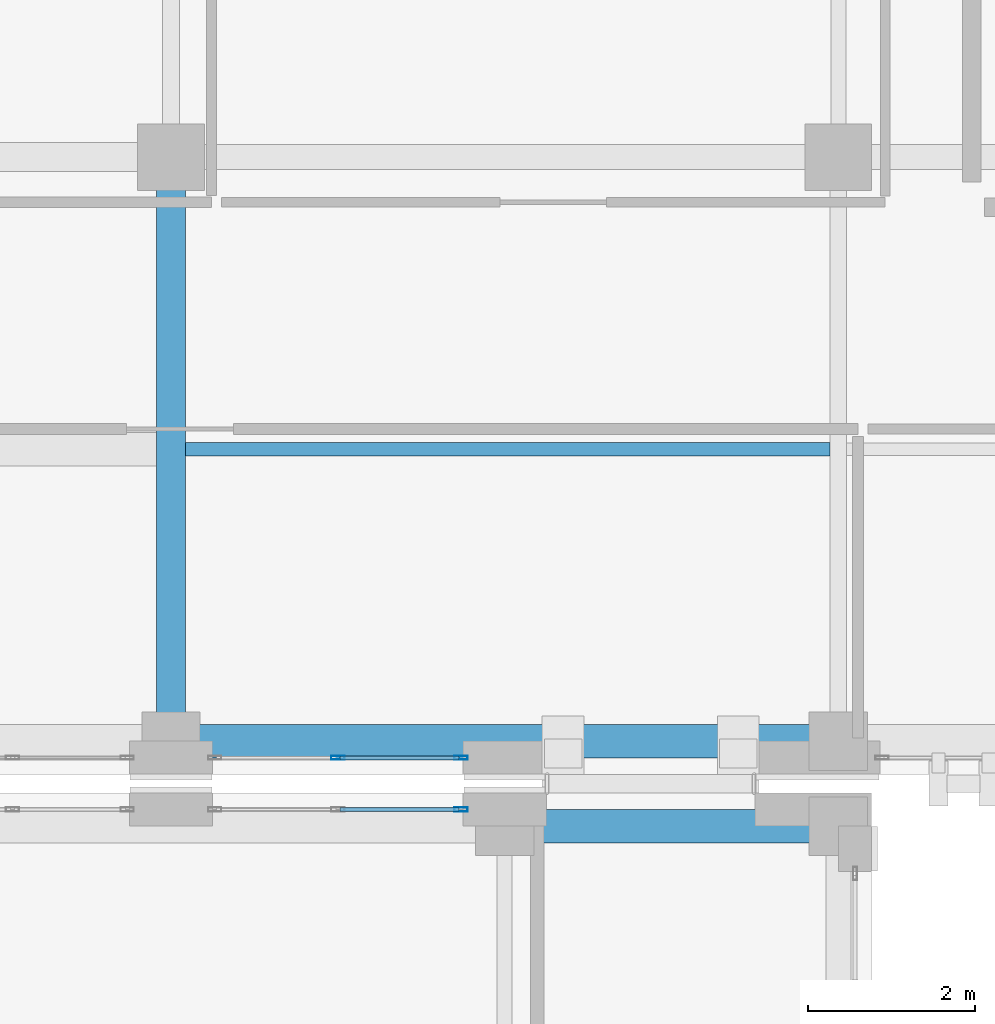
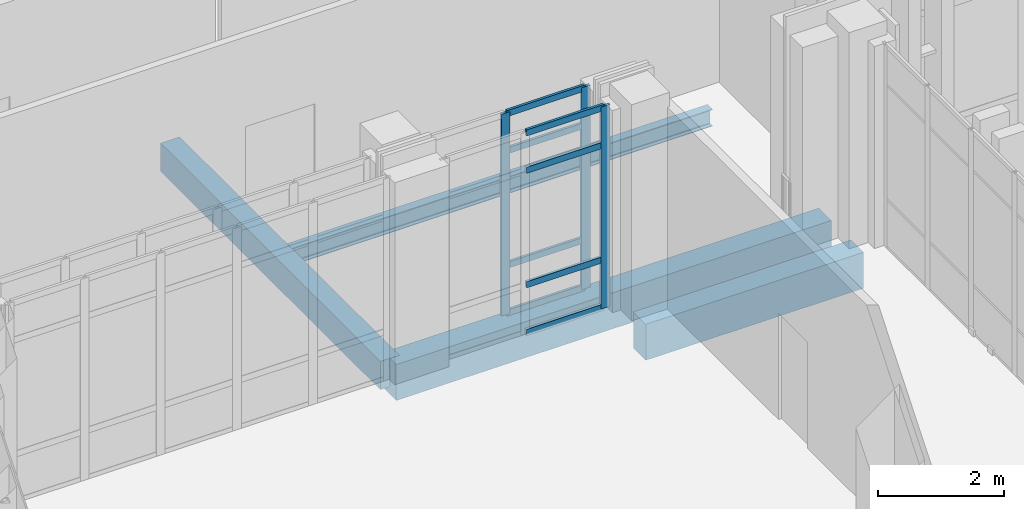
# One storey, part 77 of 158: 11 members, 4 beams, 2 elements without a shape of their own.
"""IFC4 building model written with IfcOpenShell, lengths in metres."""

from ifc_helpers import new_model, si_unit, direction, frame, origin, origin_2d, place, context, subcontext, project, spatial, rectangle, hollow_rectangle, i_section, extrude, material, layer, layer_set, material_profile, profile_set, type_object, element, aggregate, save


model = new_model("IFC4")

# Units and contexts
model_context = context("Model", 3, precision=1e-05, world=origin(), true_north=direction((0.0, 1.0)))
body_context = subcontext(model_context, "Body", "Model", "MODEL_VIEW")
ifc_project = project(units=[si_unit("LENGTHUNIT", "METRE"), si_unit("AREAUNIT", "SQUARE_METRE"), si_unit("VOLUMEUNIT", "CUBIC_METRE"), si_unit("PLANEANGLEUNIT", "RADIAN"), si_unit("MASSUNIT", "GRAM", prefix="KILO")], contexts=[model_context])

# Site, building, storey
site_placement = place(None, origin())
site = spatial("IfcSite", under=ifc_project, at=site_placement, CompositionType="ELEMENT")
building_placement = place(site_placement, origin())
building = spatial("IfcBuilding", under=site, at=building_placement, Name="Qalavern Law Courts", CompositionType="ELEMENT")
storey_placement = place(building_placement, frame((0.0, 0.0, 18.60009765625)))
storey = spatial("IfcBuildingStorey", under=building, at=storey_placement, Name="L04", CompositionType="ELEMENT", Elevation=18.60009765625)

# Curtain wall, member
ifc_material_1 = material(Name="Anodised aluminium and insulated glazing", Category="aluminium")
ifc_layer_1 = layer(ifc_material_1, 0.159912109375)
ifc_layer_set_1 = layer_set([ifc_layer_1], Name="Anodised aluminium and insulated glazing")
curtain_wall_type_1 = type_object("IfcCurtainWallType", Name="ENV-CW-CHAMB", PredefinedType="USERDEFINED", material=ifc_layer_set_1)
curtain_wall_1_placement = place(storey_placement, origin())
curtain_wall_1 = element("IfcCurtainWall", 1, at=curtain_wall_1_placement, inside=storey, type_object=curtain_wall_type_1, Name="V3 unitised curtain wall L04 north 1", ObjectType="UNITISED CURTAIN WALL", PredefinedType="USERDEFINED")
ifc_material_2 = material(Name="Anodised aluminium", Category="aluminium")
ifc_material_profile_1 = material_profile(ifc_material_2, hollow_rectangle(XDim=0.048095703125, YDim=0.159912109375, WallThickness=0.00390625, at=origin_2d()), Name="ALU MULLION 48x160")
ifc_profile_set_1 = profile_set([ifc_material_profile_1], Name="Anodised aluminium")
member_type_1 = type_object("IfcMemberType", Name="ENV-CWM-48x160", PredefinedType="MULLION", material=ifc_profile_set_1)
member_1_placement = place(storey_placement, frame((13.8759765625, 95.780029296875, 0.0), z_axis=(0.0, 0.0, 1.0), x_axis=(0.0, -1.0, 0.0)))
member_1 = element("IfcMember", 2, at=member_1_placement, type_object=member_type_1, Name="CW-04 mullion 1", PredefinedType="MULLION", context=body_context, shape_type="SweptSolid", body=[
    extrude(hollow_rectangle(XDim=0.048095703125, YDim=0.159912109375, WallThickness=0.00390625, at=origin_2d()), origin(), (0.0, 0.0, 1.0), 3.9248046875),
])

# Curtain wall, members
ifc_layer_2 = layer(ifc_material_1, 0.166015625)
ifc_layer_set_2 = layer_set([ifc_layer_2], Name="Anodised aluminium and insulated glazing")
curtain_wall_type_2 = type_object("IfcCurtainWallType", Name="ENV-CW-LIB", PredefinedType="USERDEFINED", material=ifc_layer_set_2)
curtain_wall_2_placement = place(storey_placement, origin())
curtain_wall_2 = element("IfcCurtainWall", 3, at=curtain_wall_2_placement, inside=storey, type_object=curtain_wall_type_2, Name="V5 unitised curtain wall L04 south 2", ObjectType="UNITISED CURTAIN WALL", PredefinedType="USERDEFINED")
member_2_placement = place(storey_placement, frame((12.39990234375, 96.39990234375, 0.0), z_axis=(0.0, 0.0, 1.0), x_axis=(0.0, 1.0, 0.0)))
member_2 = element("IfcMember", 4, at=member_2_placement, type_object=member_type_1, Name="CW-05 mullion 2", PredefinedType="MULLION", context=body_context, shape_type="SweptSolid", body=[
    extrude(hollow_rectangle(XDim=0.048095703125, YDim=0.159912109375, WallThickness=0.00390625, at=origin_2d()), origin(), (0.0, 0.0, 1.0), 3.9248046875),
])
member_3_placement = place(storey_placement, frame((13.8759765625, 96.39990234375, 0.0), z_axis=(0.0, 0.0, 1.0), x_axis=(0.0, 1.0, 0.0)))
member_3 = element("IfcMember", 5, at=member_3_placement, type_object=member_type_1, Name="CW-05 mullion 3", PredefinedType="MULLION", context=body_context, shape_type="SweptSolid", body=[
    extrude(hollow_rectangle(XDim=0.048095703125, YDim=0.159912109375, WallThickness=0.00390625, at=origin_2d()), origin(), (0.0, 0.0, 1.0), 3.9248046875),
])

# Member
ifc_material_profile_2 = material_profile(ifc_material_2, hollow_rectangle(XDim=0.048095703125, YDim=0.1201171875, WallThickness=0.00390625, at=origin_2d()), Name="ALU TRANSOM 48x120")
ifc_profile_set_2 = profile_set([ifc_material_profile_2], Name="Anodised aluminium")
member_type_2 = type_object("IfcMemberType", Name="ENV-CWT-48x120", PredefinedType="USERDEFINED", material=ifc_profile_set_2)
member_4_placement = place(storey_placement, frame((13.85205078125, 95.780029296875, 0.02392578125), z_axis=(-1.0, 0.0, 0.0), x_axis=(0.0, -1.0, 0.0)))
member_4 = element("IfcMember", 6, at=member_4_placement, type_object=member_type_2, Name="CW-04 transom 1.1", ObjectType="TRANSOM", PredefinedType="USERDEFINED", context=body_context, shape_type="SweptSolid", body=[
    extrude(hollow_rectangle(XDim=0.048095703125, YDim=0.1201171875, WallThickness=0.00390625, at=origin_2d()), origin(), (0.0, 0.0, 1.0), 1.427978515625),
])

member_5_placement = place(storey_placement, frame((13.85205078125, 95.780029296875, 0.949951171875), z_axis=(-1.0, 0.0, 0.0), x_axis=(0.0, -1.0, 0.0)))
member_5 = element("IfcMember", 7, at=member_5_placement, type_object=member_type_2, Name="CW-04 transom 1.2", ObjectType="TRANSOM", PredefinedType="USERDEFINED", context=body_context, shape_type="SweptSolid", body=[
    extrude(hollow_rectangle(XDim=0.048095703125, YDim=0.1201171875, WallThickness=0.00390625, at=origin_2d()), origin(), (0.0, 0.0, 1.0), 1.427978515625),
])

member_6_placement = place(storey_placement, frame((13.85205078125, 95.780029296875, 3.1748046875), z_axis=(-1.0, 0.0, 0.0), x_axis=(0.0, -1.0, 0.0)))
member_6 = element("IfcMember", 8, at=member_6_placement, type_object=member_type_2, Name="CW-04 transom 1.3", ObjectType="TRANSOM", PredefinedType="USERDEFINED", context=body_context, shape_type="SweptSolid", body=[
    extrude(hollow_rectangle(XDim=0.048095703125, YDim=0.1201171875, WallThickness=0.00390625, at=origin_2d()), origin(), (0.0, 0.0, 1.0), 1.427978515625),
])

member_7_placement = place(storey_placement, frame((13.85205078125, 95.780029296875, 3.90087890625), z_axis=(-1.0, 0.0, 0.0), x_axis=(0.0, -1.0, 0.0)))
member_7 = element("IfcMember", 9, at=member_7_placement, type_object=member_type_2, Name="CW-04 transom 1.4", ObjectType="TRANSOM", PredefinedType="USERDEFINED", context=body_context, shape_type="SweptSolid", body=[
    extrude(hollow_rectangle(XDim=0.048095703125, YDim=0.1201171875, WallThickness=0.00390625, at=origin_2d()), origin(), (0.0, 0.0, 1.0), 1.427978515625),
])

aggregate(curtain_wall_1, [member_1, member_4, member_5, member_6, member_7])

member_8_placement = place(storey_placement, frame((12.424072265625, 96.39990234375, 0.02392578125), z_axis=(1.0, 0.0, 0.0), x_axis=(0.0, 1.0, 0.0)))
member_8 = element("IfcMember", 10, at=member_8_placement, type_object=member_type_2, Name="CW-05 transom 2.1", ObjectType="TRANSOM", PredefinedType="USERDEFINED", context=body_context, shape_type="SweptSolid", body=[
    extrude(hollow_rectangle(XDim=0.048095703125, YDim=0.1201171875, WallThickness=0.00390625, at=origin_2d()), origin(), (0.0, 0.0, 1.0), 1.427978515625),
])

member_9_placement = place(storey_placement, frame((12.424072265625, 96.39990234375, 0.949951171875), z_axis=(1.0, 0.0, 0.0), x_axis=(0.0, 1.0, 0.0)))
member_9 = element("IfcMember", 11, at=member_9_placement, type_object=member_type_2, Name="CW-05 transom 2.2", ObjectType="TRANSOM", PredefinedType="USERDEFINED", context=body_context, shape_type="SweptSolid", body=[
    extrude(hollow_rectangle(XDim=0.048095703125, YDim=0.1201171875, WallThickness=0.00390625, at=origin_2d()), origin(), (0.0, 0.0, 1.0), 1.427978515625),
])

member_10_placement = place(storey_placement, frame((12.424072265625, 96.39990234375, 3.1748046875), z_axis=(1.0, 0.0, 0.0), x_axis=(0.0, 1.0, 0.0)))
member_10 = element("IfcMember", 12, at=member_10_placement, type_object=member_type_2, Name="CW-05 transom 2.3", ObjectType="TRANSOM", PredefinedType="USERDEFINED", context=body_context, shape_type="SweptSolid", body=[
    extrude(hollow_rectangle(XDim=0.048095703125, YDim=0.1201171875, WallThickness=0.00390625, at=origin_2d()), origin(), (0.0, 0.0, 1.0), 1.427978515625),
])

member_11_placement = place(storey_placement, frame((12.424072265625, 96.39990234375, 3.90087890625), z_axis=(1.0, 0.0, 0.0), x_axis=(0.0, 1.0, 0.0)))
member_11 = element("IfcMember", 13, at=member_11_placement, type_object=member_type_2, Name="CW-05 transom 2.4", ObjectType="TRANSOM", PredefinedType="USERDEFINED", context=body_context, shape_type="SweptSolid", body=[
    extrude(hollow_rectangle(XDim=0.048095703125, YDim=0.1201171875, WallThickness=0.00390625, at=origin_2d()), origin(), (0.0, 0.0, 1.0), 1.427978515625),
])

aggregate(curtain_wall_2, [member_2, member_3, member_8, member_9, member_10, member_11])

# Beams
ifc_material_3 = material(Name="Concrete C35/45", Category="concrete")
ifc_material_profile_3 = material_profile(ifc_material_3, rectangle(XDim=0.35009765625, YDim=0.550048828125, at=origin_2d()), Name="RC 350x550")
ifc_profile_set_3 = profile_set([ifc_material_profile_3], Name="Concrete C35/45")
beam_type_1 = type_object("IfcBeamType", Name="STR-BM-RC350x550", PredefinedType="BEAM", material=ifc_profile_set_3)
beam_1_placement = place(storey_placement, frame((10.39990234375, 96.60009765625, -0.55517578125), z_axis=(0.0, 1.0, 0.0), x_axis=(-1.0, 0.0, 0.0)))
element("IfcBeam", 14, at=beam_1_placement, inside=storey, type_object=beam_type_1, Name="V5 Y-beam 2-1 L04", PredefinedType="BEAM", context=body_context, shape_type="SweptSolid", body=[
    extrude(rectangle(XDim=0.35009765625, YDim=0.550048828125, at=origin_2d()), origin(), (0.0, 0.0, 1.0), 7.0),
])
ifc_material_4 = material(Name="Steel S355", Category="steel")
ifc_material_profile_4 = material_profile(ifc_material_4, i_section(OverallWidth=0.159912109375, OverallDepth=0.330078125, WebThickness=0.007568359375, FlangeThickness=0.011474609375, FilletRadius=0.01806640625, at=origin_2d()), Name="IPE 330")
ifc_profile_set_4 = profile_set([ifc_material_profile_4], Name="Steel S355")
beam_type_2 = type_object("IfcBeamType", Name="STR-JST-IPE330", PredefinedType="JOIST", material=ifc_profile_set_4)
beam_2_placement = place(storey_placement, frame((10.572998046875, 100.10009765625, -0.445068359375), z_axis=(1.0, 0.0, 0.0), x_axis=(0.0, 1.0, 0.0)))
element("IfcBeam", 15, at=beam_2_placement, inside=storey, type_object=beam_type_2, Name="V5 secondary joist 2.1.1 L04", PredefinedType="JOIST", context=body_context, shape_type="SweptSolid", body=[
    extrude(i_section(OverallWidth=0.159912109375, OverallDepth=0.330078125, WebThickness=0.007568359375, FlangeThickness=0.011474609375, FilletRadius=0.01806640625, at=origin_2d()), origin(), (0.0, 0.0, 1.0), 7.72900390625),
])
ifc_material_5 = material(Name="Concrete C40/50", Category="concrete")
ifc_material_profile_5 = material_profile(ifc_material_5, rectangle(XDim=0.39990234375, YDim=0.699951171875, at=origin_2d()), Name="RC 400x700")
ifc_profile_set_5 = profile_set([ifc_material_profile_5], Name="Concrete C40/50")
beam_type_3 = type_object("IfcBeamType", Name="STR-SP-RC400x700", PredefinedType="SPANDREL", material=ifc_profile_set_5)
beam_3_placement = place(storey_placement, frame((14.39990234375, 95.580078125, -0.630126953125), z_axis=(1.0, 0.0, 0.0), x_axis=(0.0, 1.0, 0.0)))
element("IfcBeam", 16, at=beam_3_placement, inside=storey, type_object=beam_type_3, Name="V3 X-beam 8-2 L04", PredefinedType="SPANDREL", context=body_context, shape_type="SweptSolid", body=[
    extrude(rectangle(XDim=0.39990234375, YDim=0.699951171875, at=origin_2d()), origin(), (0.0, 0.0, 1.0), 4.0),
])
beam_4_placement = place(storey_placement, frame((10.39990234375, 96.60009765625, -0.630126953125), z_axis=(1.0, 0.0, 0.0), x_axis=(0.0, 1.0, 0.0)))
element("IfcBeam", 17, at=beam_4_placement, inside=storey, type_object=beam_type_3, Name="V5 X-beam 1-2 L04", PredefinedType="SPANDREL", context=body_context, shape_type="SweptSolid", body=[
    extrude(rectangle(XDim=0.39990234375, YDim=0.699951171875, at=origin_2d()), origin(), (0.0, 0.0, 1.0), 8.0),
])

save(model, "model.ifc")
